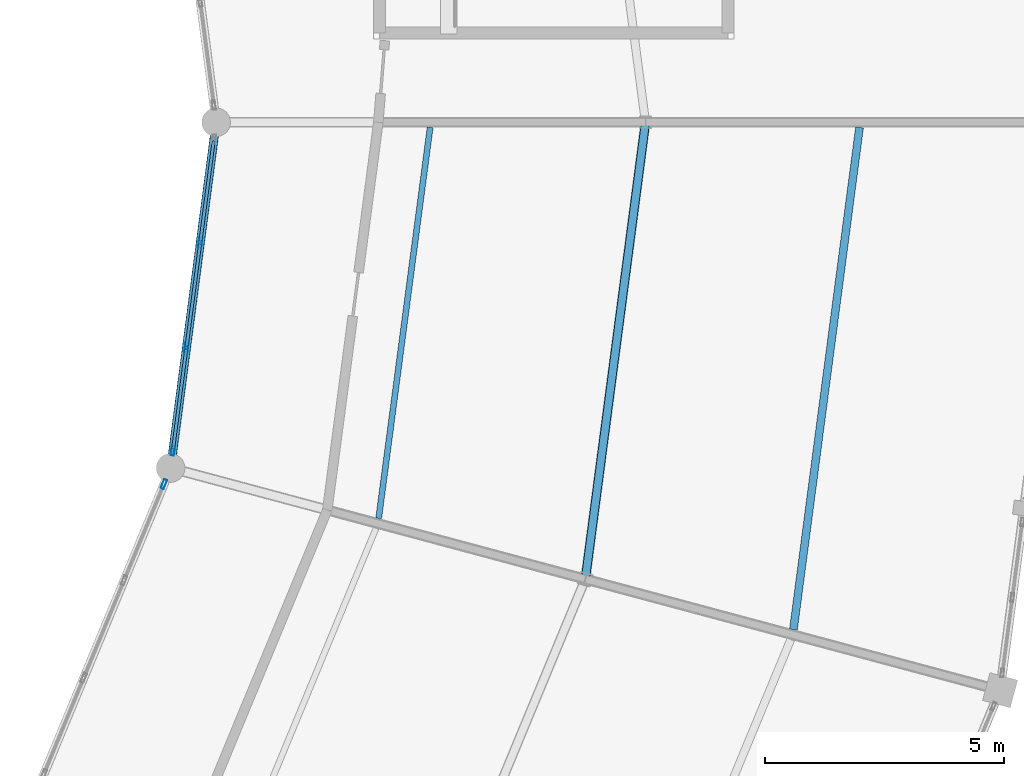
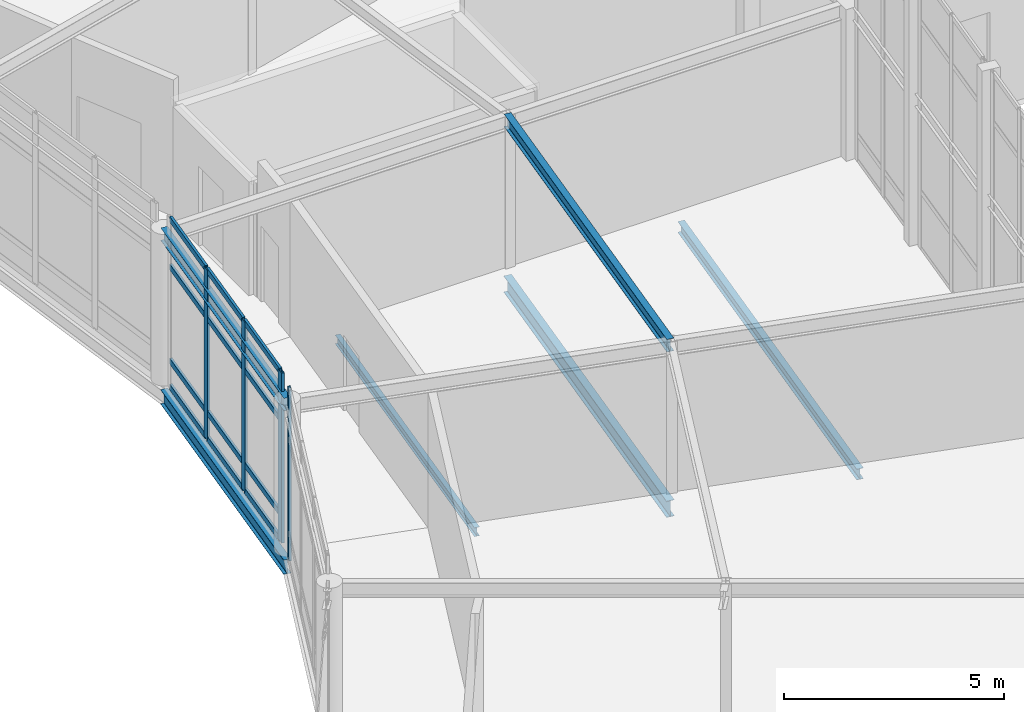
# One storey, part 115 of 185: 16 members, 6 beams, 2 elements without a shape of their own.
"""IFC4 building model written with IfcOpenShell, lengths in metres."""

from ifc_helpers import new_model, si_unit, direction, frame, origin, origin_2d, place, context, subcontext, project, spatial, hollow_rectangle, i_section, extrude, material, material_profile, profile_set, type_object, element, aggregate, save


model = new_model("IFC4")

# Units and contexts
model_context = context("Model", 3, precision=1e-05, world=origin(), true_north=direction((0.0, 1.0)))
body_context = subcontext(model_context, "Body", "Model", "MODEL_VIEW")
ifc_project = project(units=[si_unit("LENGTHUNIT", "METRE"), si_unit("AREAUNIT", "SQUARE_METRE"), si_unit("VOLUMEUNIT", "CUBIC_METRE"), si_unit("PLANEANGLEUNIT", "RADIAN"), si_unit("MASSUNIT", "GRAM", prefix="KILO")], contexts=[model_context])

# Site, building, storey
site_placement = place(None, origin())
site = spatial("IfcSite", under=ifc_project, at=site_placement, CompositionType="ELEMENT")
building_placement = place(site_placement, origin())
building = spatial("IfcBuilding", under=site, at=building_placement, Name="Vondelvale Polytechnic", CompositionType="ELEMENT")
storey_placement = place(building_placement, frame((0.0, 0.0, 9.60009765625)))
storey = spatial("IfcBuildingStorey", under=building, at=storey_placement, Name="L02", CompositionType="ELEMENT", Elevation=9.60009765625)

# Beams
ifc_material_1 = material(Name="Steel 300PLUS (fy = 300 MPa)", Category="steel")
ifc_material_profile_1 = material_profile(ifc_material_1, i_section(OverallWidth=0.1708984375, OverallDepth=0.35205078125, WebThickness=0.0068359375, FlangeThickness=0.009765625, FilletRadius=0.011474609375, at=origin_2d()), Name="360UB44.7")
ifc_profile_set_1 = profile_set([ifc_material_profile_1], Name="Steel 300PLUS (fy = 300 MPa)")
beam_type_1 = type_object("IfcBeamType", Name="BM-UB360L", PredefinedType="BEAM", material=ifc_profile_set_1)
beam_1_placement = place(storey_placement, frame((129.0458984375, 64.753173828125, 4.02392578125), z_axis=(0.13053140969, 0.991444174467, 0.0), x_axis=(-0.991444174467, 0.13053140969, 0.0)))
element("IfcBeam", 1, at=beam_1_placement, inside=storey, type_object=beam_type_1, Name="L02 RE B-24", PredefinedType="BEAM", context=body_context, shape_type="SweptSolid", body=[
    extrude(i_section(OverallWidth=0.1708984375, OverallDepth=0.35205078125, WebThickness=0.0068359375, FlangeThickness=0.009765625, FilletRadius=0.011474609375, at=origin_2d()), origin(), (0.0, 0.0, 1.0), 7.309326171875),
])
beam_2_placement = place(storey_placement, frame((137.7392578125, 62.423583984375, 4.02392578125), z_axis=(0.130524472487, 0.991445087779, 0.0), x_axis=(-0.991445087779, 0.130524472487, 0.0)))
element("IfcBeam", 2, at=beam_2_placement, inside=storey, type_object=beam_type_1, Name="L02 RE B-24", PredefinedType="BEAM", context=body_context, shape_type="SweptSolid", body=[
    extrude(i_section(OverallWidth=0.1708984375, OverallDepth=0.35205078125, WebThickness=0.0068359375, FlangeThickness=0.009765625, FilletRadius=0.011474609375, at=origin_2d()), origin(), (0.0, 0.0, 1.0), 9.658935546875),
])
ifc_material_profile_2 = material_profile(ifc_material_1, i_section(OverallWidth=0.177978515625, OverallDepth=0.403076171875, WebThickness=0.007568359375, FlangeThickness=0.010986328125, FilletRadius=0.011474609375, at=origin_2d()), Name="410UB53.7")
ifc_profile_set_2 = profile_set([ifc_material_profile_2], Name="Steel 300PLUS (fy = 300 MPa)")
beam_type_2 = type_object("IfcBeamType", Name="BM-UB410L", PredefinedType="BEAM", material=ifc_profile_set_2)
beam_3_placement = place(storey_placement, frame((129.0458984375, 64.753173828125, -0.481689453125), z_axis=(0.13053140969, 0.991444174467, 0.0), x_axis=(-0.991444174467, 0.13053140969, 0.0)))
element("IfcBeam", 3, at=beam_3_placement, inside=storey, type_object=beam_type_2, Name="L02 RB B-23", PredefinedType="BEAM", context=body_context, shape_type="SweptSolid", body=[
    extrude(i_section(OverallWidth=0.177978515625, OverallDepth=0.403076171875, WebThickness=0.007568359375, FlangeThickness=0.010986328125, FilletRadius=0.011474609375, at=origin_2d()), origin(), (0.0, 0.0, 1.0), 7.309326171875),
])
ifc_material_profile_3 = material_profile(ifc_material_1, i_section(OverallWidth=0.18994140625, OverallDepth=0.4541015625, WebThickness=0.008544921875, FlangeThickness=0.0126953125, FilletRadius=0.011474609375, at=origin_2d()), Name="460UB67.1")
ifc_profile_set_3 = profile_set([ifc_material_profile_3], Name="Steel 300PLUS (fy = 300 MPa)")
beam_type_3 = type_object("IfcBeamType", Name="BM-UB460L", PredefinedType="BEAM", material=ifc_profile_set_3)
beam_4_placement = place(storey_placement, frame((137.7392578125, 62.423583984375, -0.507080078125), z_axis=(0.130524472487, 0.991445087779, 0.0), x_axis=(-0.991445087779, 0.130524472487, 0.0)))
element("IfcBeam", 4, at=beam_4_placement, inside=storey, type_object=beam_type_3, Name="L02 RB B-22", PredefinedType="BEAM", context=body_context, shape_type="SweptSolid", body=[
    extrude(i_section(OverallWidth=0.18994140625, OverallDepth=0.4541015625, WebThickness=0.008544921875, FlangeThickness=0.0126953125, FilletRadius=0.011474609375, at=origin_2d()), origin(), (0.0, 0.0, 1.0), 9.658935546875),
])

# Curtain wall, member
ifc_material_2 = material(Name="Anodised extruded aluminium 6063-T6", Category="aluminium")
curtain_wall_type = type_object("IfcCurtainWallType", Name="CW-RING-CLOISTER", PredefinedType="NOTDEFINED", material=ifc_material_2)
curtain_wall_1_placement = place(storey_placement, origin())
curtain_wall_1 = element("IfcCurtainWall", 5, at=curtain_wall_1_placement, inside=storey, type_object=curtain_wall_type, Name="L02 architectural curtain wall CW-03-366", PredefinedType="NOTDEFINED")
ifc_material_profile_4 = material_profile(ifc_material_2, hollow_rectangle(XDim=0.070068359375, YDim=0.199951171875, WallThickness=0.00390625, at=origin_2d()), Name="CW-MUL-200x70")
ifc_profile_set_4 = profile_set([ifc_material_profile_4], Name="Anodised extruded aluminium 6063-T6")
member_type_1 = type_object("IfcMemberType", Name="CW-MUL-70x200", PredefinedType="MULLION", material=ifc_profile_set_4)
member_1_placement = place(storey_placement, frame((128.90625, 64.415771484375, 0.0), z_axis=(0.0, 0.0, 1.0), x_axis=(-0.923881562419, 0.382678531697, 0.0)))
member_1 = element("IfcMember", 6, at=member_1_placement, type_object=member_type_1, Name="CW-03-366 mullion 4", PredefinedType="MULLION", context=body_context, shape_type="SweptSolid", body=[
    extrude(hollow_rectangle(XDim=0.070068359375, YDim=0.199951171875, WallThickness=0.00390625, at=origin_2d()), origin(), (0.0, 0.0, 1.0), 4.713134765625),
])
aggregate(curtain_wall_1, [member_1])

# Curtain wall, members
curtain_wall_2_placement = place(storey_placement, origin())
curtain_wall_2 = element("IfcCurtainWall", 7, at=curtain_wall_2_placement, inside=storey, type_object=curtain_wall_type, Name="L02 architectural curtain wall CW-03-378", PredefinedType="NOTDEFINED")
member_2_placement = place(storey_placement, frame((129.09326171875, 65.113525390625, 0.0), z_axis=(0.0, 0.0, 1.0), x_axis=(-0.99144462243, 0.130528007165, 0.0)))
member_2 = element("IfcMember", 8, at=member_2_placement, type_object=member_type_1, Name="CW-03-378 mullion 1", PredefinedType="MULLION", context=body_context, shape_type="SweptSolid", body=[
    extrude(hollow_rectangle(XDim=0.070068359375, YDim=0.199951171875, WallThickness=0.00390625, at=origin_2d()), origin(), (0.0, 0.0, 1.0), 4.713134765625),
])
member_3_placement = place(storey_placement, frame((129.378173828125, 67.27734375, 0.0), z_axis=(0.0, 0.0, 1.0), x_axis=(-0.99144462243, 0.130528007165, 0.0)))
member_3 = element("IfcMember", 9, at=member_3_placement, type_object=member_type_1, Name="CW-03-378 mullion 2", PredefinedType="MULLION", context=body_context, shape_type="SweptSolid", body=[
    extrude(hollow_rectangle(XDim=0.070068359375, YDim=0.199951171875, WallThickness=0.00390625, at=origin_2d()), origin(), (0.0, 0.0, 1.0), 4.713134765625),
])
member_4_placement = place(storey_placement, frame((129.667724609375, 69.475830078125, 0.0), z_axis=(0.0, 0.0, 1.0), x_axis=(-0.99144462243, 0.130528007165, 0.0)))
member_4 = element("IfcMember", 10, at=member_4_placement, type_object=member_type_1, Name="CW-03-378 mullion 3", PredefinedType="MULLION", context=body_context, shape_type="SweptSolid", body=[
    extrude(hollow_rectangle(XDim=0.070068359375, YDim=0.199951171875, WallThickness=0.00390625, at=origin_2d()), origin(), (0.0, 0.0, 1.0), 4.713134765625),
])
ifc_material_profile_5 = material_profile(ifc_material_2, hollow_rectangle(XDim=0.06494140625, YDim=0.159912109375, WallThickness=0.00341796875, at=origin_2d()), Name="CW-TRN-160x65")
ifc_profile_set_5 = profile_set([ifc_material_profile_5], Name="Anodised extruded aluminium 6063-T6")
member_type_2 = type_object("IfcMemberType", Name="CW-TRN-70x160", PredefinedType="USERDEFINED", material=ifc_profile_set_5)
member_5_placement = place(storey_placement, frame((129.097900390625, 65.148193359375, 0.032470703125), z_axis=(0.130589036243, 0.991436585775, 0.0), x_axis=(-0.991436585775, 0.130589036243, 0.0)))
member_5 = element("IfcMember", 11, at=member_5_placement, type_object=member_type_2, Name="CW-03-378 transom 1.1", ObjectType="TRANSOM", PredefinedType="USERDEFINED", context=body_context, shape_type="SweptSolid", body=[
    extrude(hollow_rectangle(XDim=0.06494140625, YDim=0.159912109375, WallThickness=0.00341796875, at=origin_2d()), origin(), (0.0, 0.0, 1.0), 2.112548828125),
])
member_6_placement = place(storey_placement, frame((129.097900390625, 65.148193359375, 0.75), z_axis=(0.130589036243, 0.991436585775, 0.0), x_axis=(-0.991436585775, 0.130589036243, 0.0)))
member_6 = element("IfcMember", 12, at=member_6_placement, type_object=member_type_2, Name="CW-03-378 transom 1.2", ObjectType="TRANSOM", PredefinedType="USERDEFINED", context=body_context, shape_type="SweptSolid", body=[
    extrude(hollow_rectangle(XDim=0.06494140625, YDim=0.159912109375, WallThickness=0.00341796875, at=origin_2d()), origin(), (0.0, 0.0, 1.0), 2.112548828125),
])
member_7_placement = place(storey_placement, frame((129.097900390625, 65.148193359375, 3.363037109375), z_axis=(0.130589036243, 0.991436585775, 0.0), x_axis=(-0.991436585775, 0.130589036243, 0.0)))
member_7 = element("IfcMember", 13, at=member_7_placement, type_object=member_type_2, Name="CW-03-378 transom 1.3", ObjectType="TRANSOM", PredefinedType="USERDEFINED", context=body_context, shape_type="SweptSolid", body=[
    extrude(hollow_rectangle(XDim=0.06494140625, YDim=0.159912109375, WallThickness=0.00341796875, at=origin_2d()), origin(), (0.0, 0.0, 1.0), 2.112548828125),
])
member_8_placement = place(storey_placement, frame((129.097900390625, 65.148193359375, 4.6806640625), z_axis=(0.130589036243, 0.991436585775, 0.0), x_axis=(-0.991436585775, 0.130589036243, 0.0)))
member_8 = element("IfcMember", 14, at=member_8_placement, type_object=member_type_2, Name="CW-03-378 transom 1.4", ObjectType="TRANSOM", PredefinedType="USERDEFINED", context=body_context, shape_type="SweptSolid", body=[
    extrude(hollow_rectangle(XDim=0.06494140625, YDim=0.159912109375, WallThickness=0.00341796875, at=origin_2d()), origin(), (0.0, 0.0, 1.0), 2.112548828125),
])
member_9_placement = place(storey_placement, frame((129.3828125, 67.31201171875, 0.032470703125), z_axis=(0.1305103875, 0.991446941977, 0.0), x_axis=(-0.991446941977, 0.1305103875, 0.0)))
member_9 = element("IfcMember", 15, at=member_9_placement, type_object=member_type_2, Name="CW-03-378 transom 2.1", ObjectType="TRANSOM", PredefinedType="USERDEFINED", context=body_context, shape_type="SweptSolid", body=[
    extrude(hollow_rectangle(XDim=0.06494140625, YDim=0.159912109375, WallThickness=0.00341796875, at=origin_2d()), origin(), (0.0, 0.0, 1.0), 2.1474609375),
])
member_10_placement = place(storey_placement, frame((129.3828125, 67.31201171875, 0.75), z_axis=(0.1305103875, 0.991446941977, 0.0), x_axis=(-0.991446941977, 0.1305103875, 0.0)))
member_10 = element("IfcMember", 16, at=member_10_placement, type_object=member_type_2, Name="CW-03-378 transom 2.2", ObjectType="TRANSOM", PredefinedType="USERDEFINED", context=body_context, shape_type="SweptSolid", body=[
    extrude(hollow_rectangle(XDim=0.06494140625, YDim=0.159912109375, WallThickness=0.00341796875, at=origin_2d()), origin(), (0.0, 0.0, 1.0), 2.1474609375),
])
member_11_placement = place(storey_placement, frame((129.3828125, 67.31201171875, 3.363037109375), z_axis=(0.1305103875, 0.991446941977, 0.0), x_axis=(-0.991446941977, 0.1305103875, 0.0)))
member_11 = element("IfcMember", 17, at=member_11_placement, type_object=member_type_2, Name="CW-03-378 transom 2.3", ObjectType="TRANSOM", PredefinedType="USERDEFINED", context=body_context, shape_type="SweptSolid", body=[
    extrude(hollow_rectangle(XDim=0.06494140625, YDim=0.159912109375, WallThickness=0.00341796875, at=origin_2d()), origin(), (0.0, 0.0, 1.0), 2.1474609375),
])
member_12_placement = place(storey_placement, frame((129.3828125, 67.31201171875, 4.6806640625), z_axis=(0.1305103875, 0.991446941977, 0.0), x_axis=(-0.991446941977, 0.1305103875, 0.0)))
member_12 = element("IfcMember", 18, at=member_12_placement, type_object=member_type_2, Name="CW-03-378 transom 2.4", ObjectType="TRANSOM", PredefinedType="USERDEFINED", context=body_context, shape_type="SweptSolid", body=[
    extrude(hollow_rectangle(XDim=0.06494140625, YDim=0.159912109375, WallThickness=0.00341796875, at=origin_2d()), origin(), (0.0, 0.0, 1.0), 2.1474609375),
])
member_13_placement = place(storey_placement, frame((129.672119140625, 69.510498046875, 0.032470703125), z_axis=(0.130604000296, 0.99143461464, 0.0), x_axis=(-0.99143461464, 0.130604000296, 0.0)))
member_13 = element("IfcMember", 19, at=member_13_placement, type_object=member_type_2, Name="CW-03-378 transom 3.1", ObjectType="TRANSOM", PredefinedType="USERDEFINED", context=body_context, shape_type="SweptSolid", body=[
    extrude(hollow_rectangle(XDim=0.06494140625, YDim=0.159912109375, WallThickness=0.00341796875, at=origin_2d()), origin(), (0.0, 0.0, 1.0), 2.1123046875),
])
member_14_placement = place(storey_placement, frame((129.672119140625, 69.510498046875, 0.75), z_axis=(0.130604000296, 0.99143461464, 0.0), x_axis=(-0.99143461464, 0.130604000296, 0.0)))
member_14 = element("IfcMember", 20, at=member_14_placement, type_object=member_type_2, Name="CW-03-378 transom 3.2", ObjectType="TRANSOM", PredefinedType="USERDEFINED", context=body_context, shape_type="SweptSolid", body=[
    extrude(hollow_rectangle(XDim=0.06494140625, YDim=0.159912109375, WallThickness=0.00341796875, at=origin_2d()), origin(), (0.0, 0.0, 1.0), 2.1123046875),
])
member_15_placement = place(storey_placement, frame((129.672119140625, 69.510498046875, 3.363037109375), z_axis=(0.130604000296, 0.99143461464, 0.0), x_axis=(-0.99143461464, 0.130604000296, 0.0)))
member_15 = element("IfcMember", 21, at=member_15_placement, type_object=member_type_2, Name="CW-03-378 transom 3.3", ObjectType="TRANSOM", PredefinedType="USERDEFINED", context=body_context, shape_type="SweptSolid", body=[
    extrude(hollow_rectangle(XDim=0.06494140625, YDim=0.159912109375, WallThickness=0.00341796875, at=origin_2d()), origin(), (0.0, 0.0, 1.0), 2.1123046875),
])
member_16_placement = place(storey_placement, frame((129.672119140625, 69.510498046875, 4.6806640625), z_axis=(0.130604000296, 0.99143461464, 0.0), x_axis=(-0.99143461464, 0.130604000296, 0.0)))
member_16 = element("IfcMember", 22, at=member_16_placement, type_object=member_type_2, Name="CW-03-378 transom 3.4", ObjectType="TRANSOM", PredefinedType="USERDEFINED", context=body_context, shape_type="SweptSolid", body=[
    extrude(hollow_rectangle(XDim=0.06494140625, YDim=0.159912109375, WallThickness=0.00341796875, at=origin_2d()), origin(), (0.0, 0.0, 1.0), 2.1123046875),
])
aggregate(curtain_wall_2, [member_2, member_3, member_4, member_5, member_6, member_7, member_8, member_9, member_10, member_11, member_12, member_13, member_14, member_15, member_16])

# Beams
ifc_material_profile_6 = material_profile(ifc_material_1, i_section(OverallWidth=0.1240234375, OverallDepth=0.248046875, WebThickness=0.0048828125, FlangeThickness=0.008056640625, FilletRadius=0.0087890625, at=origin_2d()), Name="250UB25.7")
ifc_profile_set_6 = profile_set([ifc_material_profile_6], Name="Steel 300PLUS (fy = 300 MPa)")
beam_type_4 = type_object("IfcBeamType", Name="JST-UB250L", PredefinedType="JOIST", material=ifc_profile_set_6)
beam_5_placement = place(storey_placement, frame((133.406982421875, 63.697509765625, -0.404052734375), z_axis=(0.130518705366, 0.991445847008, 0.0), x_axis=(-0.991445847008, 0.130518705366, 0.0)))
element("IfcBeam", 23, at=beam_5_placement, inside=storey, type_object=beam_type_4, Name="L02 RJ J-08", PredefinedType="JOIST", context=body_context, shape_type="SweptSolid", body=[
    extrude(i_section(OverallWidth=0.1240234375, OverallDepth=0.248046875, WebThickness=0.0048828125, FlangeThickness=0.008056640625, FilletRadius=0.0087890625, at=origin_2d()), origin(), (0.0, 0.0, 1.0), 8.26416015625),
])
ifc_material_profile_7 = material_profile(ifc_material_1, i_section(OverallWidth=0.1650390625, OverallDepth=0.303955078125, WebThickness=0.006103515625, FlangeThickness=0.01025390625, FilletRadius=0.011474609375, at=origin_2d()), Name="310UB40.4")
ifc_profile_set_7 = profile_set([ifc_material_profile_7], Name="Steel 300PLUS (fy = 300 MPa)")
beam_type_5 = type_object("IfcBeamType", Name="JST-UB310", PredefinedType="JOIST", material=ifc_profile_set_7)
beam_6_placement = place(storey_placement, frame((142.100341796875, 61.3681640625, -0.43212890625), z_axis=(0.13051818119, 0.991445916013, 0.0), x_axis=(-0.991445916013, 0.13051818119, 0.0)))
element("IfcBeam", 24, at=beam_6_placement, inside=storey, type_object=beam_type_5, Name="L02 RJ J-05", PredefinedType="JOIST", context=body_context, shape_type="SweptSolid", body=[
    extrude(i_section(OverallWidth=0.1650390625, OverallDepth=0.303955078125, WebThickness=0.006103515625, FlangeThickness=0.01025390625, FilletRadius=0.011474609375, at=origin_2d()), origin(), (0.0, 0.0, 1.0), 10.613525390625),
])

save(model, "model.ifc")
